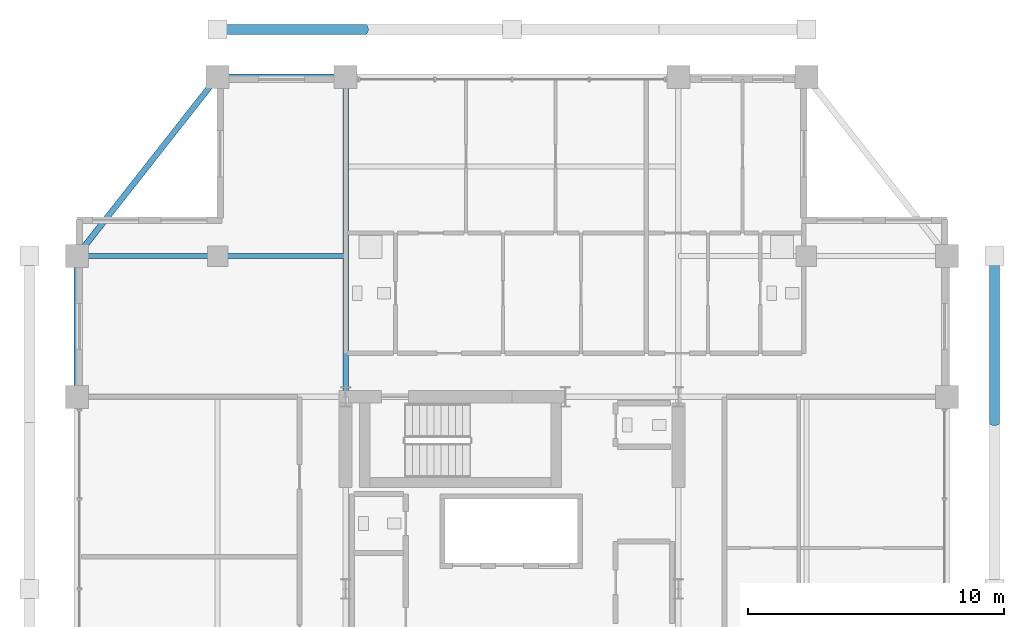
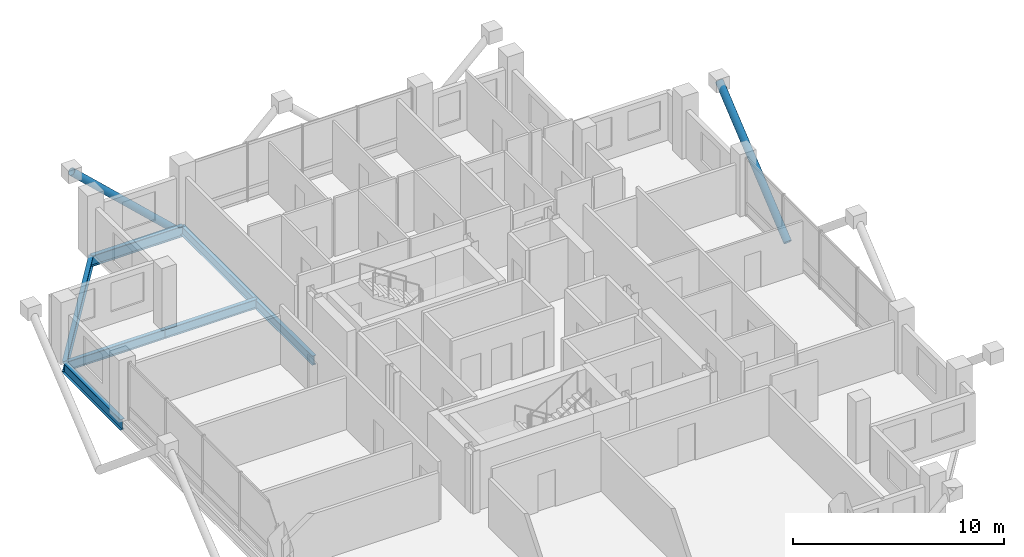
# One storey, part 13 of 23: 6 beams, 2 members.
"""IFC4 building model written with IfcOpenShell, lengths in metres."""

from ifc_helpers import new_model, si_unit, direction, frame, origin, origin_2d, place, context, subcontext, project, spatial, hollow_circle, i_section, extrude, material, material_profile, profile_set, type_object, element, save


model = new_model("IFC4")

# Units and contexts
model_context = context("Model", 3, precision=1e-05, world=origin(), true_north=direction((0.0, 1.0)))
body_context = subcontext(model_context, "Body", "Model", "MODEL_VIEW")
ifc_project = project(units=[si_unit("LENGTHUNIT", "METRE"), si_unit("AREAUNIT", "SQUARE_METRE"), si_unit("VOLUMEUNIT", "CUBIC_METRE"), si_unit("PLANEANGLEUNIT", "RADIAN"), si_unit("MASSUNIT", "GRAM", prefix="KILO")], contexts=[model_context])

# Site, building, storey
site_placement = place(None, origin())
site = spatial("IfcSite", under=ifc_project, at=site_placement, CompositionType="ELEMENT")
building_placement = place(site_placement, origin())
building = spatial("IfcBuilding", under=site, at=building_placement, Name="Barlavira Tower and Art Museum", CompositionType="ELEMENT")
storey_placement = place(building_placement, frame((0.0, 0.0, 279.89990234375)))
storey = spatial("IfcBuildingStorey", under=building, at=storey_placement, Name="L73", CompositionType="ELEMENT", Elevation=279.89990234375)

# Members
ifc_material = material(Name="Steel S355", Category="steel")
ifc_material_profile_1 = material_profile(ifc_material, hollow_circle(Radius=0.203125, WallThickness=0.01611328125, at=origin_2d()), Name="CHS 406.4x16.0")
ifc_profile_set_1 = profile_set([ifc_material_profile_1], Name="Steel S355")
member_type = type_object("IfcMemberType", Name="Pale-Metal Exoskeleton Diagrid Tube CHS 406x16 Steel S355", PredefinedType="BRACE", material=ifc_profile_set_1)
member_1_placement = place(storey_placement, frame((-5.75, 21.85009765625, -1.919921875), z_axis=(-0.728950095515, 0.0, 0.684566839869), x_axis=(0.0, -1.0, 0.0)))
element("IfcMember", 1, at=member_1_placement, inside=storey, type_object=member_type, Name="L73 Exoskeleton Diagrid Tube N", PredefinedType="BRACE", context=body_context, shape_type="SweptSolid", body=[
    extrude(hollow_circle(Radius=0.203125, WallThickness=0.01611328125, at=origin_2d()), origin(), (0.0, 0.0, 1.0), 7.887939453125),
])
member_2_placement = place(storey_placement, frame((18.85009765625, 6.5, -1.919921875), z_axis=(0.0, 0.769196053329, 0.639012857104), x_axis=(-1.0, 0.0, 0.0)))
element("IfcMember", 2, at=member_2_placement, inside=storey, type_object=member_type, Name="L73 Exoskeleton Diagrid Tube E", PredefinedType="BRACE", context=body_context, shape_type="SweptSolid", body=[
    extrude(hollow_circle(Radius=0.203125, WallThickness=0.01611328125, at=origin_2d()), origin(), (0.0, 0.0, 1.0), 8.450439453125),
])

# Beams
ifc_material_profile_2 = material_profile(ifc_material, i_section(OverallWidth=0.22998046875, OverallDepth=0.616943359375, WebThickness=0.01318359375, FlangeThickness=0.022216796875, at=origin_2d()), Name="W610x140.0")
ifc_profile_set_2 = profile_set([ifc_material_profile_2], Name="Steel S355")
beam_type_1 = type_object("IfcBeamType", Name="Upper Shaft Spandrel Edge Beam W610x140 Steel S355", PredefinedType="SPANDREL", material=ifc_profile_set_2)
beam_1_placement = place(storey_placement, frame((-11.5, 20.0, -0.5283203125), z_axis=(1.0, 0.0, 0.0), x_axis=(0.0, 1.0, 0.0)))
element("IfcBeam", 3, at=beam_1_placement, inside=storey, type_object=beam_type_1, Name="L73 Spandrel 11", PredefinedType="SPANDREL", context=body_context, shape_type="SweptSolid", body=[
    extrude(i_section(OverallWidth=0.22998046875, OverallDepth=0.616943359375, WebThickness=0.01318359375, FlangeThickness=0.022216796875, at=origin_2d()), origin(), (0.0, 0.0, 1.0), 5.0),
])
beam_2_placement = place(storey_placement, frame((-11.5, 20.0, -0.5283203125), z_axis=(-0.617821551932, -0.786318338822, 0.0), x_axis=(0.786318338822, -0.617821551932, 0.0)))
element("IfcBeam", 4, at=beam_2_placement, inside=storey, type_object=beam_type_1, Name="L73 Spandrel 12", PredefinedType="SPANDREL", context=body_context, shape_type="SweptSolid", body=[
    extrude(i_section(OverallWidth=0.22998046875, OverallDepth=0.616943359375, WebThickness=0.01318359375, FlangeThickness=0.022216796875, at=origin_2d()), origin(), (0.0, 0.0, 1.0), 8.90234375),
])
beam_3_placement = place(storey_placement, frame((-17.0, 7.5, -0.5283203125), z_axis=(0.0, 1.0, 0.0), x_axis=(-1.0, 0.0, 0.0)))
element("IfcBeam", 5, at=beam_3_placement, inside=storey, type_object=beam_type_1, Name="L73 Spandrel 13", PredefinedType="SPANDREL", context=body_context, shape_type="SweptSolid", body=[
    extrude(i_section(OverallWidth=0.22998046875, OverallDepth=0.616943359375, WebThickness=0.01318359375, FlangeThickness=0.022216796875, at=origin_2d()), origin(), (0.0, 0.0, 1.0), 5.5),
])
ifc_material_profile_3 = material_profile(ifc_material, i_section(OverallWidth=0.2109375, OverallDepth=0.5390625, WebThickness=0.01171875, FlangeThickness=0.018798828125, at=origin_2d()), Name="W530x109.0")
ifc_profile_set_3 = profile_set([ifc_material_profile_3], Name="Steel S355")
beam_type_2 = type_object("IfcBeamType", Name="Zone 3-4 Primary Floor Girder W530x109 Steel S355", PredefinedType="BEAM", material=ifc_profile_set_3)
beam_4_placement = place(storey_placement, frame((-6.5, 7.5, -0.489501953125), z_axis=(0.0, 1.0, 0.0), x_axis=(-1.0, 0.0, 0.0)))
element("IfcBeam", 6, at=beam_4_placement, inside=storey, type_object=beam_type_2, Name="L73 Girder R-N1", PredefinedType="BEAM", context=body_context, shape_type="SweptSolid", body=[
    extrude(i_section(OverallWidth=0.2109375, OverallDepth=0.5390625, WebThickness=0.01171875, FlangeThickness=0.018798828125, at=origin_2d()), origin(), (0.0, 0.0, 1.0), 12.5),
])
beam_5_placement = place(storey_placement, frame((-17.0, 13.0, -0.489501953125), z_axis=(1.0, 0.0, 0.0), x_axis=(0.0, 1.0, 0.0)))
element("IfcBeam", 7, at=beam_5_placement, inside=storey, type_object=beam_type_2, Name="L73 Girder I-N1", PredefinedType="BEAM", context=body_context, shape_type="SweptSolid", body=[
    extrude(i_section(OverallWidth=0.2109375, OverallDepth=0.5390625, WebThickness=0.01171875, FlangeThickness=0.018798828125, at=origin_2d()), origin(), (0.0, 0.0, 1.0), 5.5),
])
beam_6_placement = place(storey_placement, frame((-11.5, 13.0, -0.489501953125), z_axis=(1.0, 0.0, 0.0), x_axis=(0.0, 1.0, 0.0)))
element("IfcBeam", 8, at=beam_6_placement, inside=storey, type_object=beam_type_2, Name="L73 Girder I-N2", PredefinedType="BEAM", context=body_context, shape_type="SweptSolid", body=[
    extrude(i_section(OverallWidth=0.2109375, OverallDepth=0.5390625, WebThickness=0.01171875, FlangeThickness=0.018798828125, at=origin_2d()), origin(), (0.0, 0.0, 1.0), 5.0),
])

save(model, "model.ifc")
